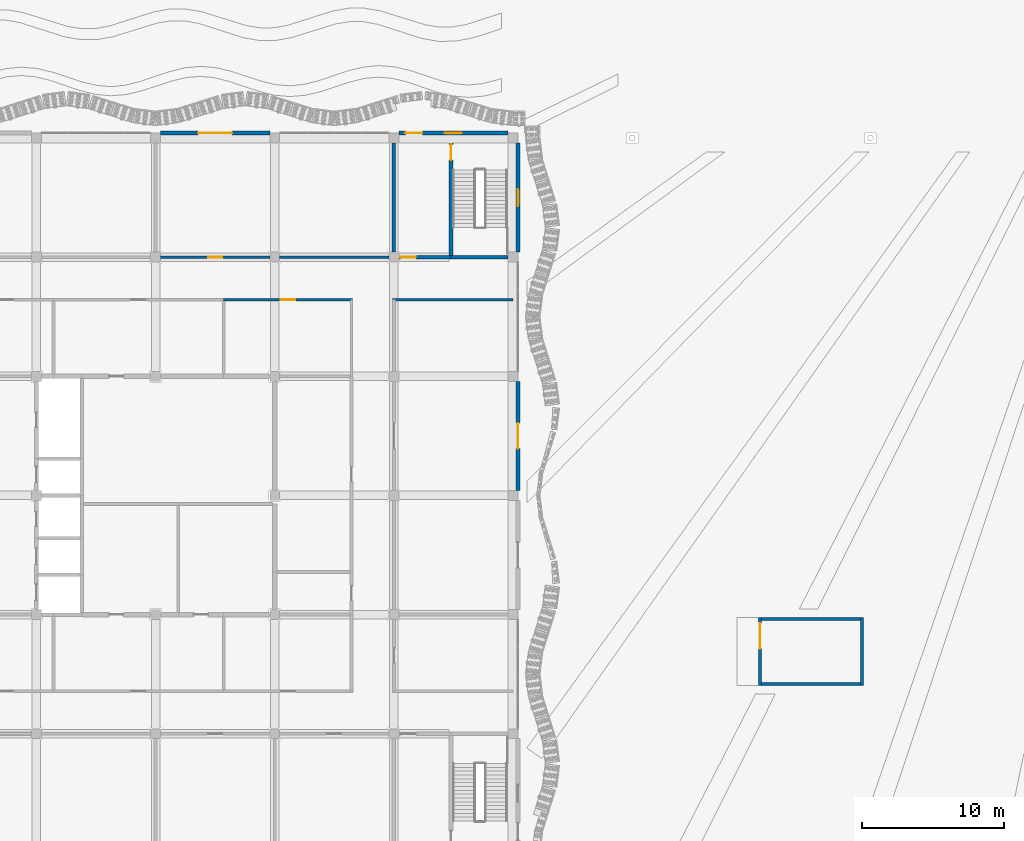
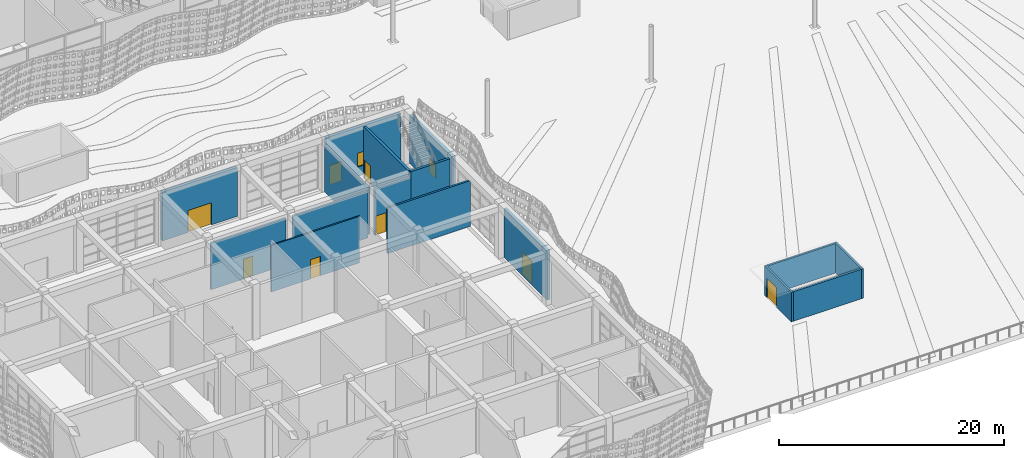
# One storey, part 101 of 210: 16 walls, 8 doors, 2 windows, 10 openings.
"""IFC4 building model written with IfcOpenShell, lengths in metres."""

from ifc_helpers import new_model, si_unit, direction, frame, frame_2d, origin, place, context, subcontext, project, spatial, rectangle, extrude, material, layer, layer_set, type_object, element, fill, save


model = new_model("IFC4")

# Units and contexts
model_context = context("Model", 3, precision=1e-05, world=origin(), true_north=direction((0.0, 1.0)))
body_context = subcontext(model_context, "Body", "Model", "MODEL_VIEW")
ifc_project = project(units=[si_unit("LENGTHUNIT", "METRE"), si_unit("AREAUNIT", "SQUARE_METRE"), si_unit("VOLUMEUNIT", "CUBIC_METRE"), si_unit("PLANEANGLEUNIT", "RADIAN"), si_unit("MASSUNIT", "GRAM", prefix="KILO")], contexts=[model_context])

# Site, building, storey
site_placement = place(None, origin())
site = spatial("IfcSite", under=ifc_project, at=site_placement, CompositionType="ELEMENT")
building_placement = place(site_placement, origin())
building = spatial("IfcBuilding", under=site, at=building_placement, Name="Rain Tree Exposition and Congress Centre", CompositionType="ELEMENT")
storey_placement = place(building_placement, origin())
storey = spatial("IfcBuildingStorey", under=building, at=storey_placement, Name="L00", CompositionType="ELEMENT", Elevation=0.0)

# Wall, opening, door
ifc_material_1 = material(Name="Concrete C40/50", Category="concrete")
ifc_layer_1 = layer(ifc_material_1, 0.199951171875)
ifc_layer_set_1 = layer_set([ifc_layer_1], Name="Concrete C40/50")
wall_type_1 = type_object("IfcWallType", Name="Exit stair wall 200", PredefinedType="PARTITIONING", material=ifc_layer_set_1)
wall_1_placement = place(storey_placement, frame((67.800048828125, 11.800048828125, 0.0), z_axis=(0.0, 0.0, 1.0), x_axis=(0.0, 1.0, 0.0)))
wall_1 = element("IfcWall", 1, at=wall_1_placement, inside=storey, type_object=wall_type_1, Name="Exit stair E1 wall west", PredefinedType="SOLIDWALL", context=body_context, shape_type="SweptSolid", body=[
    extrude(rectangle(XDim=4.800048828125, YDim=0.199951171875, at=frame_2d((2.39990234375, 0.0))), origin(), (0.0, 0.0, 1.0), 3.199951171875),
])
opening_1_placement = place(wall_1_placement, frame((2.60009765625, 0.0, 0.0)))
opening_1 = element("IfcOpeningElement", 2, at=opening_1_placement, cuts=wall_1, Name="Opening DS130", PredefinedType="OPENING", context=body_context, shape_type="SweptSolid", body=[
    extrude(rectangle(XDim=1.800048828125, YDim=2.10009765625, at=frame_2d((0.89990234375, 1.050048828125))), frame((0.0, 0.10009765625, 0.0), z_axis=(0.0, -1.0, 0.0), x_axis=(1.0, 0.0, 0.0)), (0.0, 0.0, 1.0), 0.199951171875),
])
ifc_material_2 = material(Name="Powder-coated steel", Category="steel")
door_type_1 = type_object("IfcDoorType", Name="Exit stair deck door 1800x2100", OperationType="NOTDEFINED", PredefinedType="DOOR", material=ifc_material_2)
door_1_placement = place(opening_1_placement, origin())
door_1 = element("IfcDoor", 3, at=door_1_placement, inside=storey, type_object=door_type_1, Name="Exit stair E1 door L00", OperationType="SINGLE_SWING_LEFT", OverallHeight=2.10009765625, OverallWidth=1.800048828125, PredefinedType="DOOR", context=body_context, shape_type="SweptSolid", body=[
    extrude(rectangle(XDim=1.800048828125, YDim=2.10009765625, at=frame_2d((0.89990234375, 1.050048828125))), frame((0.0, 0.02490234375, 0.0), z_axis=(0.0, -1.0, 0.0), x_axis=(1.0, 0.0, 0.0)), (0.0, 0.0, 1.0), 0.050048828125),
])
fill(opening_1, door_1)

# Walls
wall_2_placement = place(storey_placement, frame((75.0, 11.800048828125, 0.0), z_axis=(0.0, 0.0, 1.0), x_axis=(0.0, 1.0, 0.0)))
element("IfcWall", 4, at=wall_2_placement, inside=storey, type_object=wall_type_1, Name="Exit stair E1 wall east", PredefinedType="SOLIDWALL", context=body_context, shape_type="SweptSolid", body=[
    extrude(rectangle(XDim=4.800048828125, YDim=0.199951171875, at=frame_2d((2.39990234375, 0.0))), origin(), (0.0, 0.0, 1.0), 3.199951171875),
])
for number, where, z_axis, x_axis, name in (
    (5, (67.89990234375, 11.89990234375, 0.0), (0.0, 0.0, 1.0), (1.0, 0.0, 0.0), "Exit stair E1 wall south"),
    (6, (67.89990234375, 16.5, 0.0), (0.0, 0.0, 1.0), (1.0, 0.0, 0.0), "Exit stair E1 wall north"),
):
    element("IfcWall", number, at=place(storey_placement, frame(where, z_axis=z_axis, x_axis=x_axis)), inside=storey, type_object=wall_type_1, Name=name, PredefinedType="SOLIDWALL", context=body_context, shape_type="SweptSolid", body=[
        extrude(rectangle(XDim=7.0, YDim=0.199951171875, at=frame_2d((3.5, 0.0))), origin(), (0.0, 0.0, 1.0), 3.199951171875),
    ])
ifc_material_3 = material(Name="Plasterboard on steel stud", Category="steel")
ifc_layer_2 = layer(ifc_material_3, 0.199951171875)
ifc_layer_set_2 = layer_set([ifc_layer_2], Name="Plasterboard on steel stud")
wall_type_2 = type_object("IfcWallType", Name="Wing acoustic partition 200", PredefinedType="PARTITIONING", material=ifc_layer_set_2)
wall_3_placement = place(storey_placement, frame((41.89990234375, 39.0, 0.0), z_axis=(0.0, 0.0, 1.0), x_axis=(1.0, 0.0, 0.0)))
element("IfcWall", 7, at=wall_3_placement, inside=storey, type_object=wall_type_2, Name="wing/wall/L00/042", PredefinedType="PARTITIONING", context=body_context, shape_type="SweptSolid", body=[
    extrude(rectangle(XDim=8.5, YDim=0.199951171875, at=frame_2d((4.25, 0.0))), origin(), (0.0, 0.0, 1.0), 4.949951171875),
])

# Wall, opening, door
wall_4_placement = place(storey_placement, frame((25.550048828125, 42.0, 0.0), z_axis=(0.0, 0.0, 1.0), x_axis=(1.0, 0.0, 0.0)))
wall_4 = element("IfcWall", 8, at=wall_4_placement, inside=storey, type_object=wall_type_2, Name="wing/wall/L00/047", PredefinedType="PARTITIONING", context=body_context, shape_type="SweptSolid", body=[
    extrude(rectangle(XDim=7.699951171875, YDim=0.199951171875, at=frame_2d((3.85009765625, 0.0))), origin(), (0.0, 0.0, 1.0), 5.050048828125),
])
opening_2_placement = place(wall_4_placement, frame((3.35009765625, 0.0, 0.0)))
opening_2 = element("IfcOpeningElement", 9, at=opening_2_placement, cuts=wall_4, Name="Opening DW130", PredefinedType="OPENING", context=body_context, shape_type="SweptSolid", body=[
    extrude(rectangle(XDim=1.0, YDim=2.10009765625, at=frame_2d((0.5, 1.050048828125))), frame((0.0, 0.10009765625, 0.0), z_axis=(0.0, -1.0, 0.0), x_axis=(1.0, 0.0, 0.0)), (0.0, 0.0, 1.0), 0.199951171875),
])
ifc_material_4 = material(Name="Timber door leaf", Category="wood")
door_type_2 = type_object("IfcDoorType", Name="Wing door FD30S 1000x2100", OperationType="NOTDEFINED", PredefinedType="DOOR", material=ifc_material_4)
door_2_placement = place(opening_2_placement, origin())
door_2 = element("IfcDoor", 10, at=door_2_placement, inside=storey, type_object=door_type_2, Name="Door DW130", OperationType="SINGLE_SWING_LEFT", OverallHeight=2.10009765625, OverallWidth=1.0, PredefinedType="DOOR", context=body_context, shape_type="SweptSolid", body=[
    extrude(rectangle(XDim=1.0, YDim=2.10009765625, at=frame_2d((0.5, 1.050048828125))), frame((0.0, 0.02490234375, 0.0), z_axis=(0.0, -1.0, 0.0), x_axis=(1.0, 0.0, 0.0)), (0.0, 0.0, 1.0), 0.050048828125),
])
fill(opening_2, door_2)

# Wall
wall_5_placement = place(storey_placement, frame((33.949951171875, 42.0, 0.0), z_axis=(0.0, 0.0, 1.0), x_axis=(1.0, 0.0, 0.0)))
element("IfcWall", 11, at=wall_5_placement, inside=storey, type_object=wall_type_2, Name="wing/wall/L00/048", PredefinedType="PARTITIONING", context=body_context, shape_type="SweptSolid", body=[
    extrude(rectangle(XDim=7.699951171875, YDim=0.199951171875, at=frame_2d((3.85009765625, 0.0))), origin(), (0.0, 0.0, 1.0), 5.050048828125),
])

# Wall, opening, door
ifc_material_5 = material(Name="Insulated cavity wall")
ifc_layer_3 = layer(ifc_material_5, 0.300048828125)
ifc_layer_set_3 = layer_set([ifc_layer_3], Name="Insulated cavity wall")
wall_type_3 = type_object("IfcWallType", Name="Wing external wall 300", PredefinedType="SOLIDWALL", material=ifc_layer_set_3)
wall_6_placement = place(storey_placement, frame((25.550048828125, 50.75, 0.0), z_axis=(0.0, 0.0, 1.0), x_axis=(1.0, 0.0, 0.0)))
wall_6 = element("IfcWall", 12, at=wall_6_placement, inside=storey, type_object=wall_type_3, Name="wing/facade/L00/N3", PredefinedType="SOLIDWALL", context=body_context, shape_type="SweptSolid", body=[
    extrude(rectangle(XDim=7.699951171875, YDim=0.300048828125, at=frame_2d((3.85009765625, 0.0))), origin(), (0.0, 0.0, 1.0), 5.300048828125),
])
opening_3_placement = place(wall_6_placement, frame((2.64990234375, 0.0, 0.0)))
opening_3 = element("IfcOpeningElement", 13, at=opening_3_placement, cuts=wall_6, Name="Opening DW153", PredefinedType="OPENING", context=body_context, shape_type="SweptSolid", body=[
    extrude(rectangle(XDim=2.39990234375, YDim=2.39990234375, at=frame_2d((1.199951171875, 1.199951171875))), frame((0.0, 0.14990234375, 0.0), z_axis=(0.0, -1.0, 0.0), x_axis=(1.0, 0.0, 0.0)), (0.0, 0.0, 1.0), 0.300048828125),
])
ifc_material_6 = material(Name="Glazed aluminium door", Category="aluminium")
door_type_3 = type_object("IfcDoorType", Name="Wing entrance door 2400x2400", OperationType="DOUBLE_DOOR_DOUBLE_SWING", PredefinedType="DOOR", material=ifc_material_6)
door_3_placement = place(opening_3_placement, origin())
door_3 = element("IfcDoor", 14, at=door_3_placement, inside=storey, type_object=door_type_3, Name="Door DW153", OperationType="DOUBLE_DOOR_DOUBLE_SWING", OverallHeight=2.39990234375, OverallWidth=2.39990234375, PredefinedType="DOOR", context=body_context, shape_type="SweptSolid", body=[
    extrude(rectangle(XDim=2.39990234375, YDim=2.39990234375, at=frame_2d((1.199951171875, 1.199951171875))), frame((0.0, 0.02490234375, 0.0), z_axis=(0.0, -1.0, 0.0), x_axis=(1.0, 0.0, 0.0)), (0.0, 0.0, 1.0), 0.050048828125),
])
fill(opening_3, door_3)

# Wall, openings, door, window
wall_7_placement = place(storey_placement, frame((42.35009765625, 50.75, 0.0), z_axis=(0.0, 0.0, 1.0), x_axis=(1.0, 0.0, 0.0)))
wall_7 = element("IfcWall", 15, at=wall_7_placement, inside=storey, type_object=wall_type_3, Name="wing/facade/L00/N5", PredefinedType="SOLIDWALL", context=body_context, shape_type="SweptSolid", body=[
    extrude(rectangle(XDim=7.699951171875, YDim=0.300048828125, at=frame_2d((3.85009765625, 0.0))), origin(), (0.0, 0.0, 1.0), 5.300048828125),
])
opening_4_placement = place(wall_7_placement, frame((3.25, 0.0, 1.0)))
opening_4 = element("IfcOpeningElement", 16, at=opening_4_placement, cuts=wall_7, Name="Opening WW104", PredefinedType="OPENING", context=body_context, shape_type="SweptSolid", body=[
    extrude(rectangle(XDim=1.199951171875, YDim=1.5, at=frame_2d((0.60009765625, 0.75))), frame((0.0, 0.14990234375, 0.0), z_axis=(0.0, -1.0, 0.0), x_axis=(1.0, 0.0, 0.0)), (0.0, 0.0, 1.0), 0.300048828125),
])
opening_5_placement = place(wall_7_placement, frame((0.449951171875, 0.0, 0.0)))
opening_5 = element("IfcOpeningElement", 17, at=opening_5_placement, cuts=wall_7, Name="Opening DW172", PredefinedType="OPENING", context=body_context, shape_type="SweptSolid", body=[
    extrude(rectangle(XDim=1.199951171875, YDim=2.10009765625, at=frame_2d((0.60009765625, 1.050048828125))), frame((0.0, 0.14990234375, 0.0), z_axis=(0.0, -1.0, 0.0), x_axis=(1.0, 0.0, 0.0)), (0.0, 0.0, 1.0), 0.300048828125),
])
ifc_material_7 = material(Name="Steel door leaf", Category="steel")
door_type_4 = type_object("IfcDoorType", Name="Wing exit door 1200x2100", OperationType="NOTDEFINED", PredefinedType="DOOR", material=ifc_material_7)
door_4_placement = place(opening_5_placement, origin())
door_4 = element("IfcDoor", 18, at=door_4_placement, inside=storey, type_object=door_type_4, Name="Door DW172", OperationType="SINGLE_SWING_LEFT", OverallHeight=2.10009765625, OverallWidth=1.199951171875, PredefinedType="DOOR", context=body_context, shape_type="SweptSolid", body=[
    extrude(rectangle(XDim=1.199951171875, YDim=2.10009765625, at=frame_2d((0.60009765625, 1.050048828125))), frame((0.0, 0.02490234375, 0.0), z_axis=(0.0, -1.0, 0.0), x_axis=(1.0, 0.0, 0.0)), (0.0, 0.0, 1.0), 0.050048828125),
])
fill(opening_5, door_4)
ifc_material_8 = material(Name="Aluminium framed glazing", Category="aluminium")
window_type = type_object("IfcWindowType", Name="Wing window 1200x1500", PartitioningType="SINGLE_PANEL", PredefinedType="WINDOW", material=ifc_material_8)
window_1_placement = place(opening_4_placement, origin())
window_1 = element("IfcWindow", 19, at=window_1_placement, inside=storey, type_object=window_type, Name="wing/window/L00/04", OverallHeight=1.5, OverallWidth=1.199951171875, PartitioningType="SINGLE_PANEL", PredefinedType="WINDOW", context=body_context, shape_type="SweptSolid", body=[
    extrude(rectangle(XDim=1.199951171875, YDim=1.5, at=frame_2d((0.60009765625, 0.75))), frame((0.0, 0.030029296875, 0.0), z_axis=(0.0, -1.0, 0.0), x_axis=(1.0, 0.0, 0.0)), (0.0, 0.0, 1.0), 0.06005859375),
])
fill(opening_4, window_1)

# Wall, opening, door
wall_8_placement = place(storey_placement, frame((50.75, 25.550048828125, 0.0), z_axis=(0.0, 0.0, 1.0), x_axis=(0.0, 1.0, 0.0)))
wall_8 = element("IfcWall", 20, at=wall_8_placement, inside=storey, type_object=wall_type_3, Name="wing/facade/L00/E3", PredefinedType="SOLIDWALL", context=body_context, shape_type="SweptSolid", body=[
    extrude(rectangle(XDim=7.699951171875, YDim=0.300048828125, at=frame_2d((3.85009765625, 0.0))), origin(), (0.0, 0.0, 1.0), 5.300048828125),
])
opening_6_placement = place(wall_8_placement, frame((2.949951171875, 0.0, 0.0)))
opening_6 = element("IfcOpeningElement", 21, at=opening_6_placement, cuts=wall_8, Name="Opening DW156", PredefinedType="OPENING", context=body_context, shape_type="SweptSolid", body=[
    extrude(rectangle(XDim=1.800048828125, YDim=2.39990234375, at=frame_2d((0.89990234375, 1.199951171875))), frame((0.0, 0.14990234375, 0.0), z_axis=(0.0, -1.0, 0.0), x_axis=(1.0, 0.0, 0.0)), (0.0, 0.0, 1.0), 0.300048828125),
])
ifc_material_9 = material(Name="Glazed aluminium door", Category="aluminium")
door_type_5 = type_object("IfcDoorType", Name="Wing entrance door 1800x2400", OperationType="DOUBLE_DOOR_DOUBLE_SWING", PredefinedType="DOOR", material=ifc_material_9)
door_5_placement = place(opening_6_placement, origin())
door_5 = element("IfcDoor", 22, at=door_5_placement, inside=storey, type_object=door_type_5, Name="Door DW156", OperationType="DOUBLE_DOOR_DOUBLE_SWING", OverallHeight=2.39990234375, OverallWidth=1.800048828125, PredefinedType="DOOR", context=body_context, shape_type="SweptSolid", body=[
    extrude(rectangle(XDim=1.800048828125, YDim=2.39990234375, at=frame_2d((0.89990234375, 1.199951171875))), frame((0.0, 0.02490234375, 0.0), z_axis=(0.0, -1.0, 0.0), x_axis=(1.0, 0.0, 0.0)), (0.0, 0.0, 1.0), 0.050048828125),
])
fill(opening_6, door_5)

# Wall, opening, window
wall_9_placement = place(storey_placement, frame((50.75, 42.35009765625, 0.0), z_axis=(0.0, 0.0, 1.0), x_axis=(0.0, 1.0, 0.0)))
wall_9 = element("IfcWall", 23, at=wall_9_placement, inside=storey, type_object=wall_type_3, Name="wing/facade/L00/E5", PredefinedType="SOLIDWALL", context=body_context, shape_type="SweptSolid", body=[
    extrude(rectangle(XDim=7.699951171875, YDim=0.300048828125, at=frame_2d((3.85009765625, 0.0))), origin(), (0.0, 0.0, 1.0), 5.300048828125),
])
opening_7_placement = place(wall_9_placement, frame((3.25, 0.0, 1.0)))
opening_7 = element("IfcOpeningElement", 24, at=opening_7_placement, cuts=wall_9, Name="Opening WW108", PredefinedType="OPENING", context=body_context, shape_type="SweptSolid", body=[
    extrude(rectangle(XDim=1.199951171875, YDim=1.5, at=frame_2d((0.60009765625, 0.75))), frame((0.0, 0.14990234375, 0.0), z_axis=(0.0, -1.0, 0.0), x_axis=(1.0, 0.0, 0.0)), (0.0, 0.0, 1.0), 0.300048828125),
])
window_2_placement = place(opening_7_placement, origin())
window_2 = element("IfcWindow", 25, at=window_2_placement, inside=storey, type_object=window_type, Name="wing/window/L00/08", OverallHeight=1.5, OverallWidth=1.199951171875, PartitioningType="SINGLE_PANEL", PredefinedType="WINDOW", context=body_context, shape_type="SweptSolid", body=[
    extrude(rectangle(XDim=1.199951171875, YDim=1.5, at=frame_2d((0.60009765625, 0.75))), frame((0.0, 0.030029296875, 0.0), z_axis=(0.0, -1.0, 0.0), x_axis=(1.0, 0.0, 0.0)), (0.0, 0.0, 1.0), 0.06005859375),
])
fill(opening_7, window_2)

# Wall, opening, door
ifc_material_10 = material(Name="Concrete C40/50", Category="concrete")
ifc_layer_4 = layer(ifc_material_10, 0.25)
ifc_layer_set_4 = layer_set([ifc_layer_4], Name="Concrete C40/50")
wall_type_4 = type_object("IfcWallType", Name="Wing stair wall 250", PredefinedType="SHEAR", material=ifc_layer_set_4)
wall_10_placement = place(storey_placement, frame((42.35009765625, 42.0, 0.0), z_axis=(0.0, 0.0, 1.0), x_axis=(1.0, 0.0, 0.0)))
wall_10 = element("IfcWall", 26, at=wall_10_placement, inside=storey, type_object=wall_type_4, Name="wing/wall/L00/049", PredefinedType="SHEAR", context=body_context, shape_type="SweptSolid", body=[
    extrude(rectangle(XDim=3.6748046875, YDim=0.25, at=frame_2d((1.83740234375, 0.0))), origin(), (0.0, 0.0, 1.0), 5.050048828125),
])
opening_8_placement = place(wall_10_placement, frame((0.10009765625, 0.0, 0.0)))
opening_8 = element("IfcOpeningElement", 27, at=opening_8_placement, cuts=wall_10, Name="Opening DW108", PredefinedType="OPENING", context=body_context, shape_type="SweptSolid", body=[
    extrude(rectangle(XDim=1.10009765625, YDim=2.10009765625, at=frame_2d((0.550048828125, 1.050048828125))), frame((0.0, 0.125, 0.0), z_axis=(0.0, -1.0, 0.0), x_axis=(1.0, 0.0, 0.0)), (0.0, 0.0, 1.0), 0.25),
])
ifc_material_11 = material(Name="Timber door leaf", Category="wood")
door_type_6 = type_object("IfcDoorType", Name="Wing door FD60 1100x2100", OperationType="NOTDEFINED", PredefinedType="DOOR", material=ifc_material_11)
door_6_placement = place(opening_8_placement, origin())
door_6 = element("IfcDoor", 28, at=door_6_placement, inside=storey, type_object=door_type_6, Name="Door DW108", OperationType="SINGLE_SWING_LEFT", OverallHeight=2.10009765625, OverallWidth=1.10009765625, PredefinedType="DOOR", context=body_context, shape_type="SweptSolid", body=[
    extrude(rectangle(XDim=1.10009765625, YDim=2.10009765625, at=frame_2d((0.550048828125, 1.050048828125))), frame((0.0, 0.02490234375, 0.0), z_axis=(0.0, -1.0, 0.0), x_axis=(1.0, 0.0, 0.0)), (0.0, 0.0, 1.0), 0.050048828125),
])
fill(opening_8, door_6)

# Walls
wall_11_placement = place(storey_placement, frame((46.02490234375, 42.0, 0.0), z_axis=(0.0, 0.0, 1.0), x_axis=(1.0, 0.0, 0.0)))
element("IfcWall", 29, at=wall_11_placement, inside=storey, type_object=wall_type_4, Name="wing/wall/L00/050", PredefinedType="SHEAR", context=body_context, shape_type="SweptSolid", body=[
    extrude(rectangle(XDim=4.025146484375, YDim=0.25, at=frame_2d((2.0126953125, 0.0))), origin(), (0.0, 0.0, 1.0), 5.64990234375),
])
wall_12_placement = place(storey_placement, frame((42.0, 42.35009765625, 0.0), z_axis=(0.0, 0.0, 1.0), x_axis=(0.0, 1.0, 0.0)))
element("IfcWall", 30, at=wall_12_placement, inside=storey, type_object=wall_type_4, Name="wing/wall/L00/093", PredefinedType="SHEAR", context=body_context, shape_type="SweptSolid", body=[
    extrude(rectangle(XDim=7.699951171875, YDim=0.25, at=frame_2d((3.85009765625, 0.0))), origin(), (0.0, 0.0, 1.0), 5.050048828125),
])

# Wall, opening, door
wall_13_placement = place(storey_placement, frame((46.02490234375, 42.125, 0.0), z_axis=(0.0, 0.0, 1.0), x_axis=(0.0, 1.0, 0.0)))
wall_13 = element("IfcWall", 31, at=wall_13_placement, inside=storey, type_object=wall_type_4, Name="wing/wall/L00/095", PredefinedType="SHEAR", context=body_context, shape_type="SweptSolid", body=[
    extrude(rectangle(XDim=7.925048828125, YDim=0.25, at=frame_2d((3.96240234375, 0.0))), origin(), (0.0, 0.0, 1.0), 5.64990234375),
])
opening_9_placement = place(wall_13_placement, frame((6.72509765625, 0.0, 0.0)))
opening_9 = element("IfcOpeningElement", 32, at=opening_9_placement, cuts=wall_13, Name="Opening DW107", PredefinedType="OPENING", context=body_context, shape_type="SweptSolid", body=[
    extrude(rectangle(XDim=1.10009765625, YDim=2.10009765625, at=frame_2d((0.550048828125, 1.050048828125))), frame((0.0, 0.125, 0.0), z_axis=(0.0, -1.0, 0.0), x_axis=(1.0, 0.0, 0.0)), (0.0, 0.0, 1.0), 0.25),
])
door_7_placement = place(opening_9_placement, origin())
door_7 = element("IfcDoor", 33, at=door_7_placement, inside=storey, type_object=door_type_6, Name="Door DW107", OperationType="SINGLE_SWING_RIGHT", OverallHeight=2.10009765625, OverallWidth=1.10009765625, PredefinedType="DOOR", context=body_context, shape_type="SweptSolid", body=[
    extrude(rectangle(XDim=1.10009765625, YDim=2.10009765625, at=frame_2d((0.550048828125, 1.050048828125))), frame((0.0, 0.02490234375, 0.0), z_axis=(0.0, -1.0, 0.0), x_axis=(1.0, 0.0, 0.0)), (0.0, 0.0, 1.0), 0.050048828125),
])
fill(opening_9, door_7)

ifc_material_12 = material(Name="Plasterboard on steel stud", Category="steel")
ifc_layer_5 = layer(ifc_material_12, 0.14990234375)
ifc_layer_set_5 = layer_set([ifc_layer_5], Name="Plasterboard on steel stud")
wall_type_5 = type_object("IfcWallType", Name="Wing store wall 150", PredefinedType="PARTITIONING", material=ifc_layer_set_5)
wall_14_placement = place(storey_placement, frame((30.0, 39.0, 0.0), z_axis=(0.0, 0.0, 1.0), x_axis=(1.0, 0.0, 0.0)))
wall_14 = element("IfcWall", 34, at=wall_14_placement, inside=storey, type_object=wall_type_5, Name="wing/wall/L00/041", PredefinedType="PARTITIONING", context=body_context, shape_type="SweptSolid", body=[
    extrude(rectangle(XDim=9.074951171875, YDim=0.14990234375, at=frame_2d((4.53759765625, 0.0))), origin(), (0.0, 0.0, 1.0), 5.050048828125),
])
opening_10_placement = place(wall_14_placement, frame((4.03759765625, 0.0, 0.0)))
opening_10 = element("IfcOpeningElement", 35, at=opening_10_placement, cuts=wall_14, Name="Opening DW134", PredefinedType="OPENING", context=body_context, shape_type="SweptSolid", body=[
    extrude(rectangle(XDim=1.0, YDim=2.10009765625, at=frame_2d((0.5, 1.050048828125))), frame((0.0, 0.074951171875, 0.0), z_axis=(0.0, -1.0, 0.0), x_axis=(1.0, 0.0, 0.0)), (0.0, 0.0, 1.0), 0.14990234375),
])
ifc_material_13 = material(Name="Timber door leaf", Category="wood")
door_type_7 = type_object("IfcDoorType", Name="Wing door FD60 1000x2100", OperationType="NOTDEFINED", PredefinedType="DOOR", material=ifc_material_13)
door_8_placement = place(opening_10_placement, origin())
door_8 = element("IfcDoor", 36, at=door_8_placement, inside=storey, type_object=door_type_7, Name="Door DW134", OperationType="SINGLE_SWING_LEFT", OverallHeight=2.10009765625, OverallWidth=1.0, PredefinedType="DOOR", context=body_context, shape_type="SweptSolid", body=[
    extrude(rectangle(XDim=1.0, YDim=2.10009765625, at=frame_2d((0.5, 1.050048828125))), frame((0.0, 0.02490234375, 0.0), z_axis=(0.0, -1.0, 0.0), x_axis=(1.0, 0.0, 0.0)), (0.0, 0.0, 1.0), 0.050048828125),
])
fill(opening_10, door_8)

save(model, "model.ifc")
